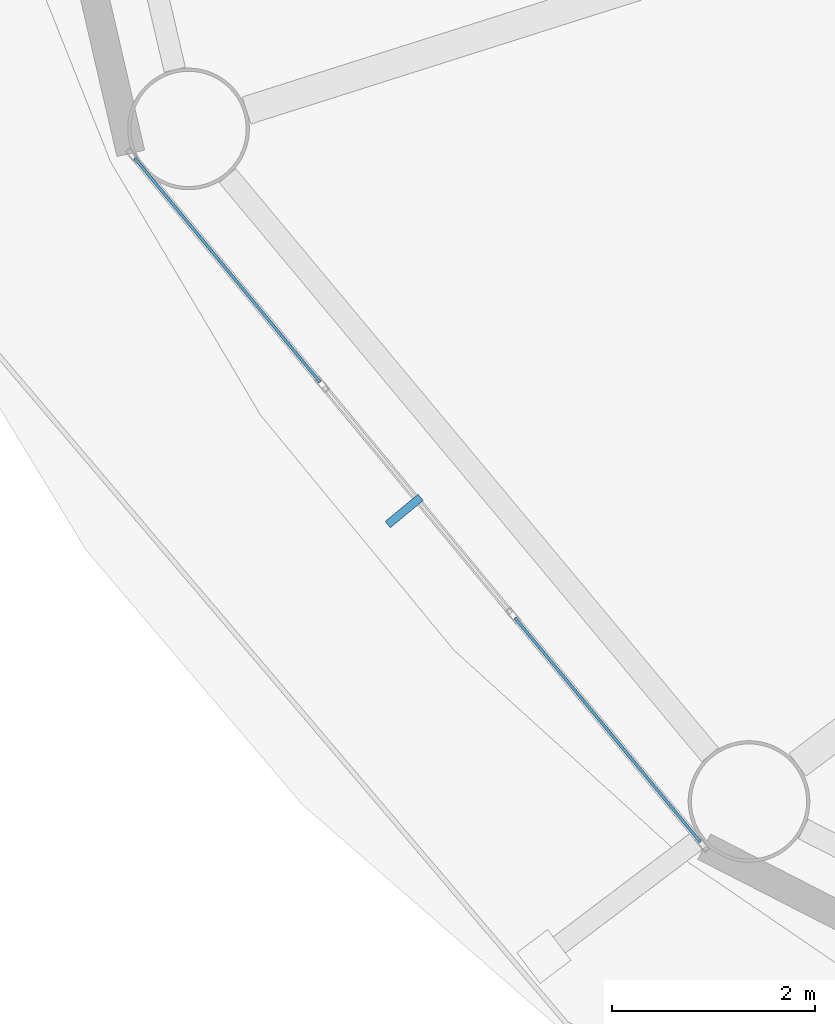
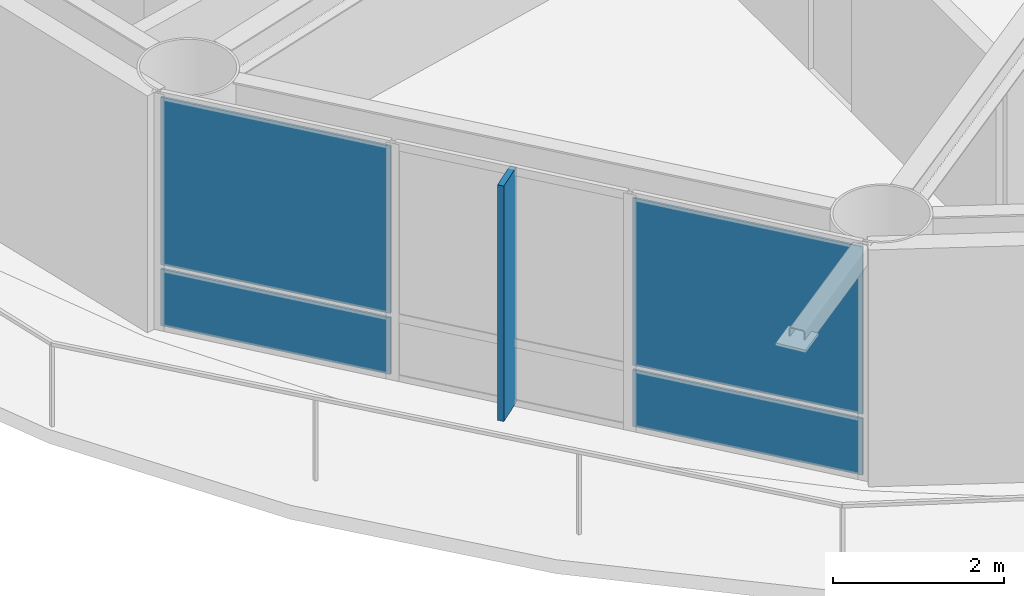
# One storey, part 17 of 28: 5 plates, 1 element without a shape of its own.
"""IFC4 building model written with IfcOpenShell, lengths in metres."""

from ifc_helpers import new_model, si_unit, direction, frame, origin, origin_2d, place, context, subcontext, project, spatial, rectangle, extrude, material, layer, layer_set, type_object, element, aggregate, save


model = new_model("IFC4")

# Units and contexts
model_context = context("Model", 3, precision=1e-05, world=origin(), true_north=direction((0.0, 1.0)))
body_context = subcontext(model_context, "Body", "Model", "MODEL_VIEW")
ifc_project = project(units=[si_unit("LENGTHUNIT", "METRE"), si_unit("AREAUNIT", "SQUARE_METRE"), si_unit("VOLUMEUNIT", "CUBIC_METRE"), si_unit("PLANEANGLEUNIT", "RADIAN"), si_unit("MASSUNIT", "GRAM", prefix="KILO")], contexts=[model_context])

# Site, building, storey
site_placement = place(None, origin())
site = spatial("IfcSite", under=ifc_project, at=site_placement, CompositionType="ELEMENT")
building_placement = place(site_placement, origin())
building = spatial("IfcBuilding", under=site, at=building_placement, Name="Sarneth Arch Tower", CompositionType="ELEMENT")
storey_placement = place(building_placement, frame((0.0, 0.0, 183.0)))
storey = spatial("IfcBuildingStorey", under=building, at=storey_placement, Name="L46", CompositionType="ELEMENT", Elevation=183.0)

# Curtain wall, plates
ifc_material_1 = material(Name="Anodised aluminium Type AA25 and solar-control low-e laminated IGU", Category="aluminium")
ifc_layer_1 = layer(ifc_material_1, 0.169921875)
ifc_layer_set_1 = layer_set([ifc_layer_1], Name="Anodised aluminium Type AA25 and solar-control low-e laminated IGU")
curtain_wall_type = type_object("IfcCurtainWallType", Name="CW-RES-MID", PredefinedType="NOTDEFINED", material=ifc_layer_set_1)
curtain_wall_placement = place(storey_placement, origin())
curtain_wall = element("IfcCurtainWall", 1, at=curtain_wall_placement, inside=storey, type_object=curtain_wall_type, Name="L46 Unitised curtain wall facet 10", PredefinedType="NOTDEFINED")
ifc_material_2 = material(Name="Solar-control low-e laminated IGU", Category="glass")
ifc_layer_2 = layer(ifc_material_2, 0.028076171875)
ifc_layer_set_2 = layer_set([ifc_layer_2], Name="Solar-control low-e laminated IGU")
plate_type_1 = type_object("IfcPlateType", Name="CW-PANEL", PredefinedType="CURTAIN_PANEL", material=ifc_layer_set_2)
plate_1_placement = place(storey_placement, frame((23.719970703125, 32.78173828125, 0.06005859375), z_axis=(0.0, 0.0, 1.0), x_axis=(0.637330298558, -0.770590741276, 0.0)))
plate_1 = element("IfcPlate", 2, at=plate_1_placement, type_object=plate_type_1, Name="Curtain wall glazed vision pane CW-L46-F10/P00-00", PredefinedType="CURTAIN_PANEL", context=body_context, shape_type="SweptSolid", body=[
    extrude(rectangle(XDim=2.8681640625, YDim=0.028076171875, at=origin_2d()), origin(), (0.0, 0.0, 1.0), 0.81005859375),
])
plate_2_placement = place(storey_placement, frame((23.719970703125, 32.78173828125, 0.93017578125), z_axis=(0.0, 0.0, 1.0), x_axis=(0.637330298558, -0.770590741276, 0.0)))
plate_2 = element("IfcPlate", 3, at=plate_2_placement, type_object=plate_type_1, Name="Curtain wall glazed vision pane CW-L46-F10/P00-01", PredefinedType="CURTAIN_PANEL", context=body_context, shape_type="SweptSolid", body=[
    extrude(rectangle(XDim=2.8681640625, YDim=0.028076171875, at=origin_2d()), origin(), (0.0, 0.0, 1.0), 2.389892578125),
])
plate_3_placement = place(storey_placement, frame((27.4716796875, 28.24560546875, 0.06005859375), z_axis=(0.0, 0.0, 1.0), x_axis=(0.637330298558, -0.770590741276, 0.0)))
plate_3 = element("IfcPlate", 4, at=plate_3_placement, type_object=plate_type_1, Name="Curtain wall glazed vision pane CW-L46-F10/P02-00", PredefinedType="CURTAIN_PANEL", context=body_context, shape_type="SweptSolid", body=[
    extrude(rectangle(XDim=2.8681640625, YDim=0.028076171875, at=origin_2d()), origin(), (0.0, 0.0, 1.0), 0.81005859375),
])
plate_4_placement = place(storey_placement, frame((27.4716796875, 28.24560546875, 0.93017578125), z_axis=(0.0, 0.0, 1.0), x_axis=(0.637330298558, -0.770590741276, 0.0)))
plate_4 = element("IfcPlate", 5, at=plate_4_placement, type_object=plate_type_1, Name="Curtain wall glazed vision pane CW-L46-F10/P02-01", PredefinedType="CURTAIN_PANEL", context=body_context, shape_type="SweptSolid", body=[
    extrude(rectangle(XDim=2.8681640625, YDim=0.028076171875, at=origin_2d()), origin(), (0.0, 0.0, 1.0), 2.389892578125),
])
aggregate(curtain_wall, [plate_1, plate_2, plate_3, plate_4])

# Plate
ifc_material_3 = material(Name="Extruded glazed terracotta baguette fin on Aluminium 6063-T6 carrier", Category="masonry")
ifc_layer_3 = layer(ifc_material_3, 0.080078125)
ifc_layer_set_3 = layer_set([ifc_layer_3], Name="Extruded glazed terracotta baguette fin on Aluminium 6063-T6 carrier")
plate_type_2 = type_object("IfcPlateType", Name="SHADE-TERRA-FIN", PredefinedType="SHEET", material=ifc_layer_set_3)
plate_5_placement = place(storey_placement, frame((25.46484375, 30.4052734375, 0.009765625), z_axis=(0.0, 0.0, 1.0), x_axis=(-0.770624482513, -0.637289500111, 0.0)))
element("IfcPlate", 6, at=plate_5_placement, inside=storey, type_object=plate_type_2, Name="L46 Terracotta vertical shading fin 10", PredefinedType="SHEET", context=body_context, shape_type="SweptSolid", body=[
    extrude(rectangle(XDim=0.419921875, YDim=0.080078125, at=origin_2d()), origin(), (0.0, 0.0, 1.0), 3.360107421875),
])

save(model, "model.ifc")
